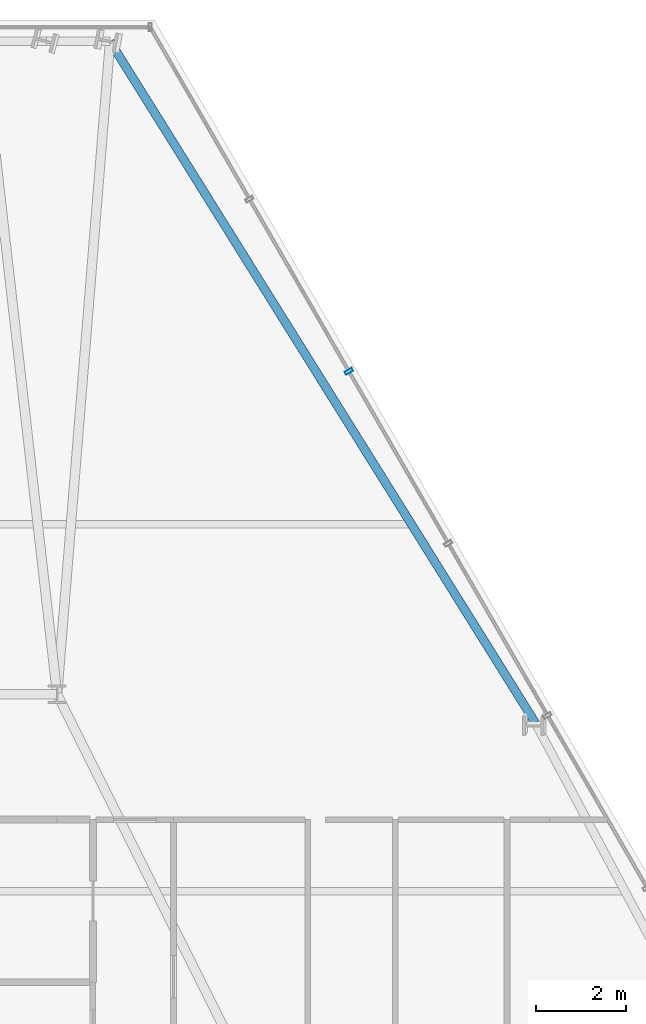
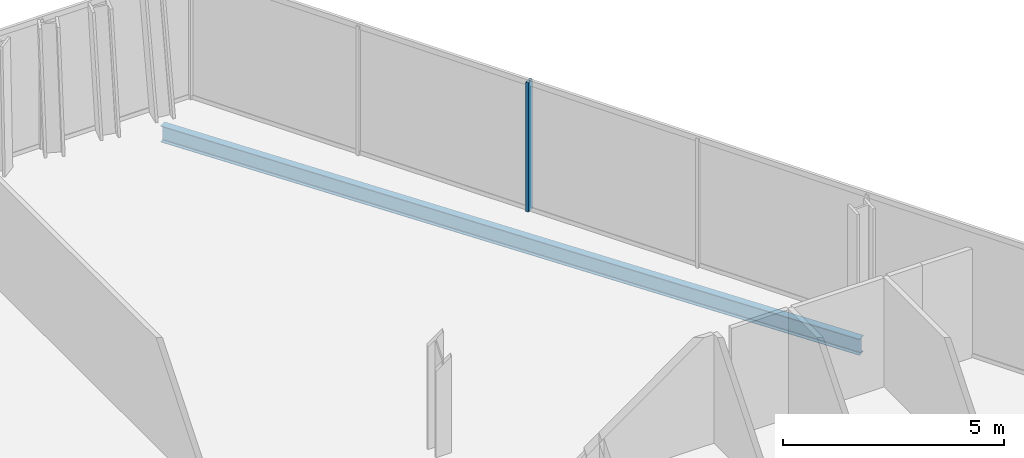
# One storey, part 23 of 31: 1 beam, 1 member, 1 element without a shape of its own.
"""IFC4 building model written with IfcOpenShell, lengths in metres."""

from ifc_helpers import new_model, si_unit, direction, frame, origin, origin_2d, place, context, subcontext, project, spatial, hollow_rectangle, i_section, extrude, material, layer, layer_set, material_profile, profile_set, type_object, element, aggregate, save


model = new_model("IFC4")

# Units and contexts
model_context = context("Model", 3, precision=1e-05, world=origin(), true_north=direction((0.0, 1.0)))
body_context = subcontext(model_context, "Body", "Model", "MODEL_VIEW")
ifc_project = project(units=[si_unit("LENGTHUNIT", "METRE"), si_unit("AREAUNIT", "SQUARE_METRE"), si_unit("VOLUMEUNIT", "CUBIC_METRE"), si_unit("PLANEANGLEUNIT", "RADIAN"), si_unit("MASSUNIT", "GRAM", prefix="KILO")], contexts=[model_context])

# Site, building, storey
site_placement = place(None, origin())
site = spatial("IfcSite", under=ifc_project, at=site_placement, CompositionType="ELEMENT")
building_placement = place(site_placement, origin())
building = spatial("IfcBuilding", under=site, at=building_placement, Name="Ndaravel Arena Tower", CompositionType="ELEMENT")
storey_placement = place(building_placement, frame((0.0, 0.0, 146.0)))
storey = spatial("IfcBuildingStorey", under=building, at=storey_placement, Name="L34", CompositionType="ELEMENT", Elevation=146.0)

# Beam
ifc_material_1 = material(Name="Steel S355", Category="steel")
ifc_material_profile_1 = material_profile(ifc_material_1, i_section(OverallWidth=0.18994140625, OverallDepth=0.449951171875, WebThickness=0.009521484375, FlangeThickness=0.0146484375, FilletRadius=0.02099609375, at=origin_2d()), Name="IPE 450")
ifc_profile_set_1 = profile_set([ifc_material_profile_1], Name="Steel S355")
beam_type = type_object("IfcBeamType", Name="BM-SPAN-IPE450", PredefinedType="SPANDREL", material=ifc_profile_set_1)
beam_placement = place(storey_placement, frame((56.482421875, 30.564208984375, -0.445068359375), z_axis=(-0.529460656286, 0.848334493844, 0.0), x_axis=(-0.848334493844, -0.529460656286, 0.0)))
element("IfcBeam", 1, at=beam_placement, inside=storey, type_object=beam_type, Name="L34 Perimeter Spandrel Beam SP-10", PredefinedType="SPANDREL", context=body_context, shape_type="SweptSolid", body=[
    extrude(i_section(OverallWidth=0.18994140625, OverallDepth=0.449951171875, WebThickness=0.009521484375, FlangeThickness=0.0146484375, FilletRadius=0.02099609375, at=origin_2d()), origin(), (0.0, 0.0, 1.0), 17.94189453125),
])

# Curtain wall, member
ifc_material_2 = material(Name="Aluminium", Category="aluminium")
ifc_layer = layer(ifc_material_2, 0.179931640625)
ifc_layer_set = layer_set([ifc_layer], Name="Aluminium")
curtain_wall_type = type_object("IfcCurtainWallType", Name="CW-SYS-03", PredefinedType="NOTDEFINED", material=ifc_layer_set)
curtain_wall_placement = place(storey_placement, origin())
curtain_wall = element("IfcCurtainWall", 2, at=curtain_wall_placement, inside=storey, type_object=curtain_wall_type, Name="L34 Faceted Crystal Curtain Wall CW-L34-E03", PredefinedType="NOTDEFINED")
ifc_material_3 = material(Name="Aluminium", Category="aluminium")
ifc_material_profile_2 = material_profile(ifc_material_3, hollow_rectangle(XDim=0.074951171875, YDim=0.179931640625, WallThickness=0.00390625, at=origin_2d()), Name="CW MULLION 75x180x4")
ifc_profile_set_2 = profile_set([ifc_material_profile_2], Name="Aluminium")
member_type = type_object("IfcMemberType", Name="MEM-CW-MUL180", PredefinedType="MULLION", material=ifc_profile_set_2)
member_placement = place(storey_placement, frame((52.3193359375, 38.41455078125, 0.0), z_axis=(0.0, 0.0, 1.0), x_axis=(-0.5, 0.866025403784, 0.0)))
member = element("IfcMember", 3, at=member_placement, type_object=member_type, Name="CW-L34-E03 Mullion 06", PredefinedType="MULLION", context=body_context, shape_type="SweptSolid", body=[
    extrude(hollow_rectangle(XDim=0.074951171875, YDim=0.179931640625, WallThickness=0.00390625, at=origin_2d()), origin(), (0.0, 0.0, 1.0), 3.580078125),
])
aggregate(curtain_wall, [member])

save(model, "model.ifc")
